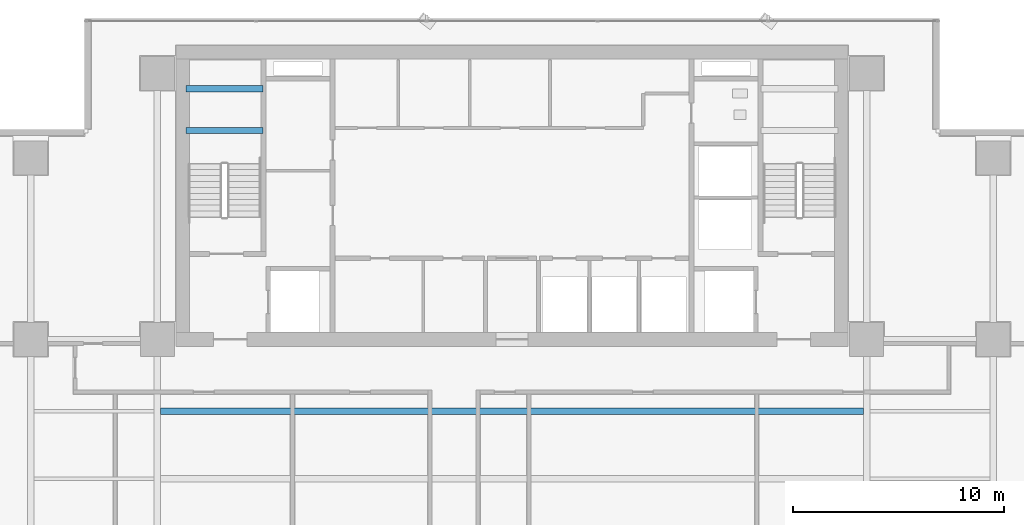
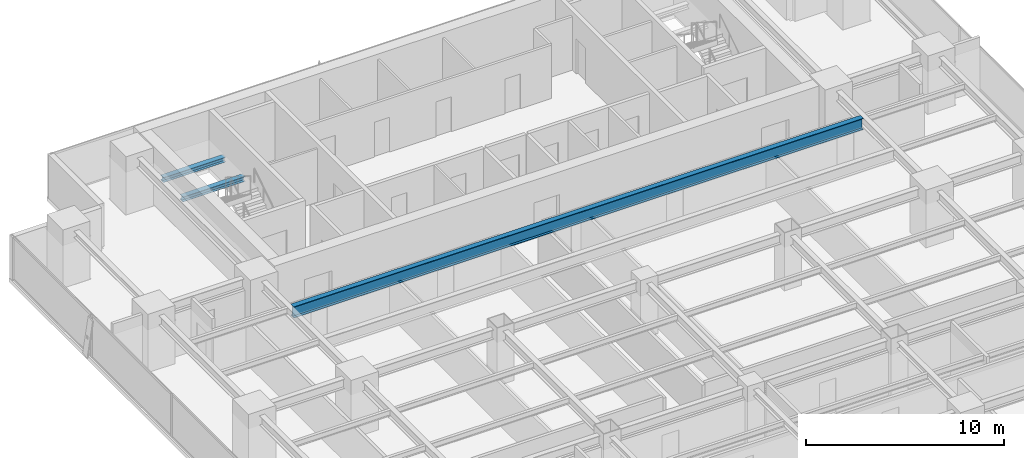
# One storey, part 19 of 36: 3 beams.
"""IFC4 building model written with IfcOpenShell, lengths in metres."""

from ifc_helpers import new_model, si_unit, direction, frame, origin, origin_2d, place, context, subcontext, project, spatial, i_section, extrude, source, transform, mapped, material, material_profile, profile_set, type_object, element, save


model = new_model("IFC4")

# Units and contexts
model_context = context("Model", 3, precision=1e-05, world=origin(), true_north=direction((0.0, 1.0)))
body_context = subcontext(model_context, "Body", "Model", "MODEL_VIEW")
ifc_project = project(units=[si_unit("LENGTHUNIT", "METRE"), si_unit("AREAUNIT", "SQUARE_METRE"), si_unit("VOLUMEUNIT", "CUBIC_METRE"), si_unit("PLANEANGLEUNIT", "RADIAN"), si_unit("MASSUNIT", "GRAM", prefix="KILO")], contexts=[model_context])

# Site, building, storey
site_placement = place(None, origin())
site = spatial("IfcSite", under=ifc_project, at=site_placement, CompositionType="ELEMENT")
building_placement = place(site_placement, origin())
building = spatial("IfcBuilding", under=site, at=building_placement, Name="Sumidabori Civic Tower", CompositionType="ELEMENT")
storey_placement = place(building_placement, frame((0.0, 0.0, 120.800048828125)))
storey = spatial("IfcBuildingStorey", under=building, at=storey_placement, Name="L31", CompositionType="ELEMENT", Elevation=120.800048828125)

# Beams
ifc_material = material(Name="Steel SN490", Category="steel")
ifc_material_profile_1 = material_profile(ifc_material, i_section(OverallWidth=0.300048828125, OverallDepth=0.300048828125, WebThickness=0.010986328125, FlangeThickness=0.01904296875, at=origin_2d()), Name="HE 300 B")
ifc_profile_set_1 = profile_set([ifc_material_profile_1], Name="Steel SN490")
beam_type_1 = type_object("IfcBeamType", Name="BM-LDG-300", PredefinedType="BEAM", material=ifc_profile_set_1)
shared_shape_1 = source(origin(), body_context, "Body", "SweptSolid", [
    extrude(i_section(OverallWidth=0.300048828125, OverallDepth=0.300048828125, WebThickness=0.010986328125, FlangeThickness=0.01904296875, at=origin_2d()), origin(), (0.0, 0.0, 1.0), 3.64990234375),
])
for number, where, z_axis, x_axis, name in (
    (1, (-15.449951171875, 20.09765625, 1.449951171875), (1.0, 0.0, 0.0), (0.0, 1.0, 0.0), "Stair ST-1 Landing Support Beam L31-1A"),
    (2, (-15.449951171875, 22.069580078125, 1.449951171875), (1.0, 0.0, 0.0), (0.0, 1.0, 0.0), "Stair ST-1 Landing Trimmer Beam L31-1B"),
):
    element("IfcBeam", number, at=place(storey_placement, frame(where, z_axis=z_axis, x_axis=x_axis)), inside=storey, type_object=beam_type_1, Name=name, PredefinedType="BEAM", context=body_context, shape_type="MappedRepresentation", body=[
        mapped(shared_shape_1, transform((0.0, 0.0, 0.0), x_axis=(1.0, 0.0, 0.0), y_axis=(0.0, 1.0, 0.0), z_axis=(0.0, 0.0, 1.0), scale=1.0)),
    ])
ifc_material_profile_2 = material_profile(ifc_material, i_section(OverallWidth=0.300048828125, OverallDepth=0.699951171875, WebThickness=0.01708984375, FlangeThickness=0.031982421875, at=origin_2d()), Name="HE 700 B")
ifc_profile_set_2 = profile_set([ifc_material_profile_2], Name="Steel SN490")
beam_type_2 = type_object("IfcBeamType", Name="BM-GIRD-700", PredefinedType="BEAM", material=ifc_profile_set_2)
shared_shape_2 = source(origin(), body_context, "Body", "SweptSolid", [
    extrude(i_section(OverallWidth=0.300048828125, OverallDepth=0.699951171875, WebThickness=0.01708984375, FlangeThickness=0.031982421875, at=origin_2d()), origin(), (0.0, 0.0, 1.0), 33.2998046875),
])
beam_placement = place(storey_placement, frame((-16.64990234375, 6.800048828125, 2.949951171875), z_axis=(1.0, 0.0, 0.0), x_axis=(0.0, 1.0, 0.0)))
element("IfcBeam", 3, at=beam_placement, inside=storey, type_object=beam_type_2, Name="North Bay Floor Beam L31 JSTN-54", PredefinedType="BEAM", context=body_context, shape_type="MappedRepresentation", body=[
    mapped(shared_shape_2, transform((0.0, 0.0, 0.0), x_axis=(1.0, 0.0, 0.0), y_axis=(0.0, 1.0, 0.0), z_axis=(0.0, 0.0, 1.0), scale=1.0)),
])

save(model, "model.ifc")
